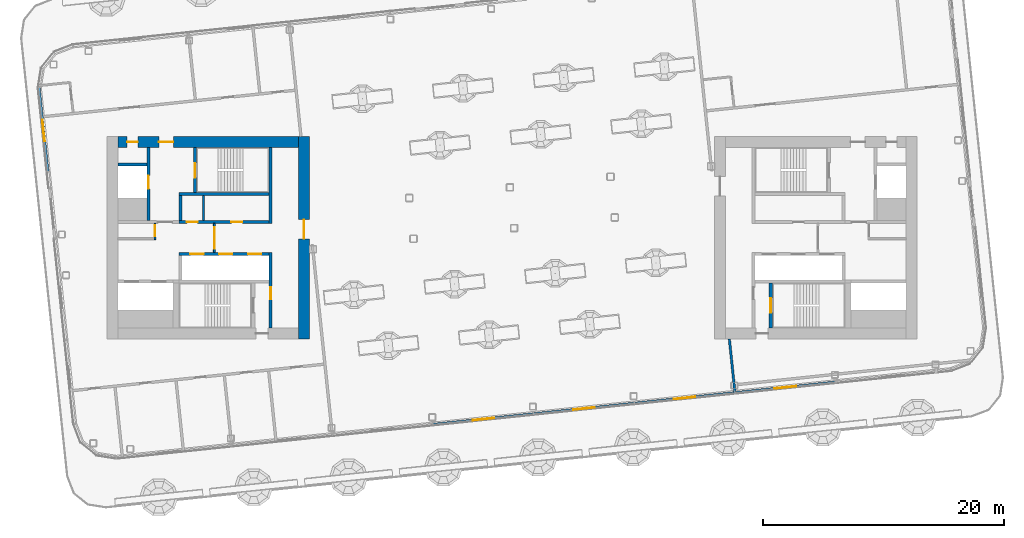
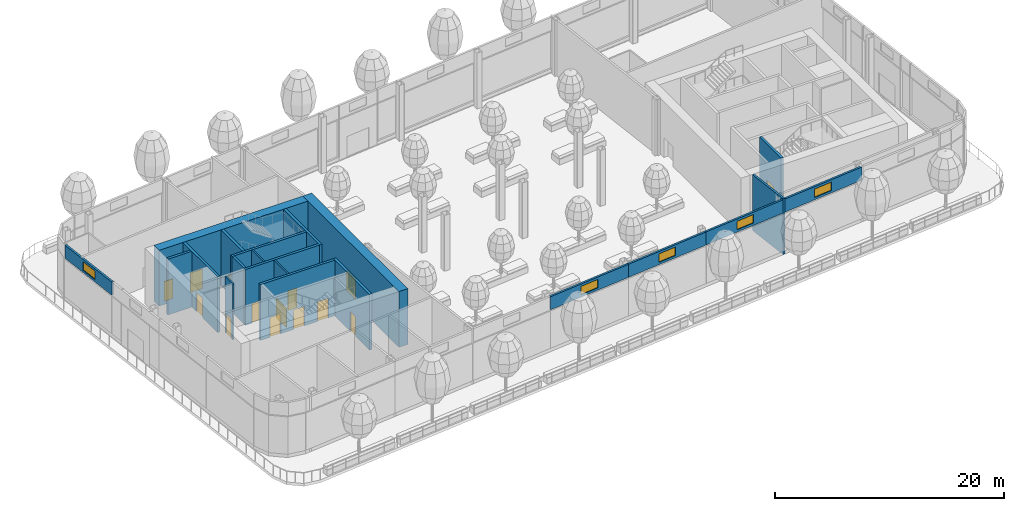
# One storey, part 12 of 42: 21 walls, 14 doors, 5 windows, 19 openings, 2 elements without a shape of their own.
"""IFC4 building model written with IfcOpenShell, lengths in metres."""

from ifc_helpers import new_model, si_unit, direction, frame, frame_2d, origin, place, context, subcontext, project, spatial, rectangle, extrude, material, layer, layer_set, type_object, element, fill, aggregate, save


model = new_model("IFC4")

# Units and contexts
model_context = context("Model", 3, precision=1e-05, world=origin(), true_north=direction((0.0, 1.0)))
body_context = subcontext(model_context, "Body", "Model", "MODEL_VIEW")
ifc_project = project(units=[si_unit("LENGTHUNIT", "METRE"), si_unit("AREAUNIT", "SQUARE_METRE"), si_unit("VOLUMEUNIT", "CUBIC_METRE"), si_unit("PLANEANGLEUNIT", "RADIAN"), si_unit("MASSUNIT", "GRAM", prefix="KILO")], contexts=[model_context])

# Site, building, storey
site_placement = place(None, origin())
site = spatial("IfcSite", under=ifc_project, at=site_placement, CompositionType="ELEMENT")
building_placement = place(site_placement, origin())
building = spatial("IfcBuilding", under=site, at=building_placement, Name="Hakoniwa Tower and Hamabe Station Hall", CompositionType="ELEMENT")
storey_placement = place(building_placement, frame((0.0, 0.0, 232.60009765625)))
storey = spatial("IfcBuildingStorey", under=building, at=storey_placement, Name="L66", CompositionType="ELEMENT", Elevation=232.60009765625)

# Wall, opening, door
ifc_material_1 = material(Name="Gypsum board partition")
ifc_layer_1 = layer(ifc_material_1, 0.14990234375)
ifc_layer_set_1 = layer_set([ifc_layer_1], Name="CORE PARTITION 150 EI 60")
wall_type_1 = type_object("IfcWallType", Name="CORE PARTITION 150 EI 60", PredefinedType="PARTITIONING", material=ifc_layer_set_1)
wall_1_placement = place(storey_placement, frame((-24.699951171875, -1.199951171875, 0.0), z_axis=(0.0, 0.0, 1.0), x_axis=(0.0, 1.0, 0.0)))
wall_1 = element("IfcWall", 1, at=wall_1_placement, inside=storey, type_object=wall_type_1, Name="Core partition PL0 west", PredefinedType="PARTITIONING", context=body_context, shape_type="SweptSolid", body=[
    extrude(rectangle(XDim=2.39990234375, YDim=0.14990234375, at=frame_2d((1.199951171875, 0.0))), origin(), (0.0, 0.0, 1.0), 5.949951171875),
])
opening_1_placement = place(wall_1_placement, frame((0.300048828125, 0.0, 0.0)))
opening_1 = element("IfcOpeningElement", 2, at=opening_1_placement, cuts=wall_1, Name="Opening CD-W-LP0-18", PredefinedType="OPENING", context=body_context, shape_type="SweptSolid", body=[
    extrude(rectangle(XDim=1.800048828125, YDim=2.10009765625, at=frame_2d((0.89990234375, 1.050048828125))), frame((0.0, 0.0849609375, 0.0), z_axis=(0.0, -1.0, 0.0), x_axis=(1.0, 0.0, 0.0)), (0.0, 0.0, 1.0), 0.169921875),
])
ifc_material_2 = material(Name="Steel fire door", Category="steel")
door_type_1 = type_object("IfcDoorType", Name="CORE DOOR 1800 FD60", OperationType="DOUBLE_DOOR_SINGLE_SWING", PredefinedType="DOOR", material=ifc_material_2)
door_1_placement = place(opening_1_placement, origin())
door_1 = element("IfcDoor", 3, at=door_1_placement, inside=storey, type_object=door_type_1, Name="Lift lobby partition door", OperationType="DOUBLE_DOOR_SINGLE_SWING", OverallHeight=2.10009765625, OverallWidth=1.800048828125, PredefinedType="DOOR", context=body_context, shape_type="SweptSolid", body=[
    extrude(rectangle(XDim=1.800048828125, YDim=2.10009765625, at=frame_2d((0.89990234375, 1.050048828125))), frame((0.0, 0.02490234375, 0.0), z_axis=(0.0, -1.0, 0.0), x_axis=(1.0, 0.0, 0.0)), (0.0, 0.0, 1.0), 0.050048828125),
])
fill(opening_1, door_1)

wall_2_placement = place(storey_placement, frame((-29.625, -0.14990234375, 0.0), z_axis=(0.0, 0.0, 1.0), x_axis=(0.0, 1.0, 0.0)))
wall_2 = element("IfcWall", 4, at=wall_2_placement, inside=storey, type_object=wall_type_1, Name="Core partition PW0 west", PredefinedType="PARTITIONING", context=body_context, shape_type="SweptSolid", body=[
    extrude(rectangle(XDim=1.349853515625, YDim=0.14990234375, at=frame_2d((0.6748046875, 0.0))), origin(), (0.0, 0.0, 1.0), 5.949951171875),
])
opening_2_placement = place(wall_2_placement, frame((0.300048828125, 0.0, 0.0)))
opening_2 = element("IfcOpeningElement", 5, at=opening_2_placement, cuts=wall_2, Name="Opening CD-W-RM1-9", PredefinedType="OPENING", context=body_context, shape_type="SweptSolid", body=[
    extrude(rectangle(XDim=0.89990234375, YDim=2.10009765625, at=frame_2d((0.449951171875, 1.050048828125))), frame((0.0, 0.0849609375, 0.0), z_axis=(0.0, -1.0, 0.0), x_axis=(1.0, 0.0, 0.0)), (0.0, 0.0, 1.0), 0.169921875),
])
ifc_material_3 = material(Name="Steel fire door", Category="steel")
door_type_2 = type_object("IfcDoorType", Name="CORE DOOR 900 FD30", OperationType="NOTDEFINED", PredefinedType="DOOR", material=ifc_material_3)
door_2_placement = place(opening_2_placement, origin())
door_2 = element("IfcDoor", 6, at=door_2_placement, inside=storey, type_object=door_type_2, Name="Store room door", OperationType="SINGLE_SWING_RIGHT", OverallHeight=2.10009765625, OverallWidth=0.89990234375, PredefinedType="DOOR", context=body_context, shape_type="SweptSolid", body=[
    extrude(rectangle(XDim=0.89990234375, YDim=2.10009765625, at=frame_2d((0.449951171875, 1.050048828125))), frame((0.0, 0.02490234375, 0.0), z_axis=(0.0, -1.0, 0.0), x_axis=(1.0, 0.0, 0.0)), (0.0, 0.0, 1.0), 0.050048828125),
])
fill(opening_2, door_2)

# Wall
wall_3_placement = place(storey_placement, frame((-25.60009765625, 1.449951171875, 0.0), z_axis=(0.0, 0.0, 1.0), x_axis=(0.0, 1.0, 0.0)))
element("IfcWall", 7, at=wall_3_placement, inside=storey, type_object=wall_type_1, Name="Core partition PFLR0 west", PredefinedType="PARTITIONING", context=body_context, shape_type="SweptSolid", body=[
    extrude(rectangle(XDim=2.050048828125, YDim=0.14990234375, at=frame_2d((1.02490234375, 0.0))), origin(), (0.0, 0.0, 1.0), 5.949951171875),
])

# Wall, opening, door
ifc_material_4 = material(Name="Concrete C60", Category="concrete")
ifc_layer_2 = layer(ifc_material_4, 0.89990234375)
ifc_layer_set_2 = layer_set([ifc_layer_2], Name="CORE WALL 900 C60")
wall_type_2 = type_object("IfcWallType", Name="CORE WALL 900 C60", PredefinedType="SHEAR", material=ifc_layer_set_2)
wall_4_placement = place(storey_placement, frame((-17.25, -8.39990234375, 0.0), z_axis=(0.0, 0.0, 1.0), x_axis=(0.0, 1.0, 0.0)))
wall_4 = element("IfcWall", 8, at=wall_4_placement, inside=storey, type_object=wall_type_2, Name="Core wall INNER west", PredefinedType="SHEAR", context=body_context, shape_type="SweptSolid", body=[
    extrude(rectangle(XDim=16.7998046875, YDim=0.89990234375, at=frame_2d((8.39990234375, 0.0))), origin(), (0.0, 0.0, 1.0), 5.949951171875),
])
opening_3_placement = place(wall_4_placement, frame((8.321044921875, 0.0, 0.0)))
opening_3 = element("IfcOpeningElement", 9, at=opening_3_placement, cuts=wall_4, Name="Opening CD-W-IN1-16", PredefinedType="OPENING", context=body_context, shape_type="SweptSolid", body=[
    extrude(rectangle(XDim=1.60009765625, YDim=2.10009765625, at=frame_2d((0.800048828125, 1.050048828125))), frame((0.0, 0.4599609375, 0.0), z_axis=(0.0, -1.0, 0.0), x_axis=(1.0, 0.0, 0.0)), (0.0, 0.0, 1.0), 0.919921875),
])
ifc_material_5 = material(Name="Steel fire door", Category="steel")
door_type_3 = type_object("IfcDoorType", Name="CORE DOOR 1600 FD60", OperationType="DOUBLE_DOOR_SINGLE_SWING", PredefinedType="DOOR", material=ifc_material_5)
door_3_placement = place(opening_3_placement, origin())
door_3 = element("IfcDoor", 10, at=door_3_placement, inside=storey, type_object=door_type_3, Name="Lift lobby door", OperationType="DOUBLE_DOOR_SINGLE_SWING", OverallHeight=2.10009765625, OverallWidth=1.60009765625, PredefinedType="DOOR", context=body_context, shape_type="SweptSolid", body=[
    extrude(rectangle(XDim=1.60009765625, YDim=2.10009765625, at=frame_2d((0.800048828125, 1.050048828125))), frame((0.0, 0.02490234375, 0.0), z_axis=(0.0, -1.0, 0.0), x_axis=(1.0, 0.0, 0.0)), (0.0, 0.0, 1.0), 0.050048828125),
])
fill(opening_3, door_3)

# Wall, openings, doors
wall_5_placement = place(storey_placement, frame((-32.699951171875, 7.949951171875, 0.0), z_axis=(0.0, 0.0, 1.0), x_axis=(1.0, 0.0, 0.0)))
wall_5 = element("IfcWall", 11, at=wall_5_placement, inside=storey, type_object=wall_type_2, Name="Core wall NORTH west", PredefinedType="SHEAR", context=body_context, shape_type="SweptSolid", body=[
    extrude(rectangle(XDim=15.0, YDim=0.89990234375, at=frame_2d((7.5, 0.0))), origin(), (0.0, 0.0, 1.0), 5.949951171875),
])
opening_4_placement = place(wall_5_placement, frame((3.39990234375, 0.0, 0.0)))
opening_4 = element("IfcOpeningElement", 12, at=opening_4_placement, cuts=wall_5, Name="Opening CD-W-FN1-12", PredefinedType="OPENING", context=body_context, shape_type="SweptSolid", body=[
    extrude(rectangle(XDim=1.199951171875, YDim=2.10009765625, at=frame_2d((0.60009765625, 1.050048828125))), frame((0.0, 0.4599609375, 0.0), z_axis=(0.0, -1.0, 0.0), x_axis=(1.0, 0.0, 0.0)), (0.0, 0.0, 1.0), 0.919921875),
])
opening_5_placement = place(wall_5_placement, frame((0.75, 0.0, 0.0)))
opening_5 = element("IfcOpeningElement", 13, at=opening_5_placement, cuts=wall_5, Name="Opening CD-W-FN2-9", PredefinedType="OPENING", context=body_context, shape_type="SweptSolid", body=[
    extrude(rectangle(XDim=0.89990234375, YDim=2.10009765625, at=frame_2d((0.449951171875, 1.050048828125))), frame((0.0, 0.4599609375, 0.0), z_axis=(0.0, -1.0, 0.0), x_axis=(1.0, 0.0, 0.0)), (0.0, 0.0, 1.0), 0.919921875),
])
ifc_material_6 = material(Name="Steel fire door", Category="steel")
door_type_4 = type_object("IfcDoorType", Name="CORE DOOR 1200 FD60", OperationType="DOUBLE_DOOR_SINGLE_SWING", PredefinedType="DOOR", material=ifc_material_6)
door_4_placement = place(opening_4_placement, origin())
door_4 = element("IfcDoor", 14, at=door_4_placement, inside=storey, type_object=door_type_4, Name="Stair vestibule door to the fire-fighting lobby", OperationType="DOUBLE_DOOR_SINGLE_SWING", OverallHeight=2.10009765625, OverallWidth=1.199951171875, PredefinedType="DOOR", context=body_context, shape_type="SweptSolid", body=[
    extrude(rectangle(XDim=1.199951171875, YDim=2.10009765625, at=frame_2d((0.60009765625, 1.050048828125))), frame((0.0, 0.02490234375, 0.0), z_axis=(0.0, -1.0, 0.0), x_axis=(1.0, 0.0, 0.0)), (0.0, 0.0, 1.0), 0.050048828125),
])
fill(opening_4, door_4)
door_5_placement = place(opening_5_placement, origin())
door_5 = element("IfcDoor", 15, at=door_5_placement, inside=storey, type_object=door_type_2, Name="Riser access door", OperationType="SINGLE_SWING_RIGHT", OverallHeight=2.10009765625, OverallWidth=0.89990234375, PredefinedType="DOOR", context=body_context, shape_type="SweptSolid", body=[
    extrude(rectangle(XDim=0.89990234375, YDim=2.10009765625, at=frame_2d((0.449951171875, 1.050048828125))), frame((0.0, 0.02490234375, 0.0), z_axis=(0.0, -1.0, 0.0), x_axis=(1.0, 0.0, 0.0)), (0.0, 0.0, 1.0), 0.050048828125),
])
fill(opening_5, door_5)

# Wall
ifc_material_7 = material(Name="Concrete C60", Category="concrete")
ifc_layer_3 = layer(ifc_material_7, 0.25)
ifc_layer_set_3 = layer_set([ifc_layer_3], Name="CORE WEB WALL 250 C60")
wall_type_3 = type_object("IfcWallType", Name="CORE WEB WALL 250 C60", PredefinedType="SHEAR", material=ifc_layer_set_3)
wall_6_placement = place(storey_placement, frame((-20.02490234375, 1.199951171875, 0.0), z_axis=(0.0, 0.0, 1.0), x_axis=(0.0, 1.0, 0.0)))
element("IfcWall", 16, at=wall_6_placement, inside=storey, type_object=wall_type_3, Name="Core wall W1N west", PredefinedType="SHEAR", context=body_context, shape_type="SweptSolid", body=[
    extrude(rectangle(XDim=6.300048828125, YDim=0.25, at=frame_2d((3.14990234375, 0.0))), origin(), (0.0, 0.0, 1.0), 5.949951171875),
])

# Wall, opening, door
wall_7_placement = place(storey_placement, frame((-20.02490234375, -7.5, 0.0), z_axis=(0.0, 0.0, 1.0), x_axis=(0.0, 1.0, 0.0)))
wall_7 = element("IfcWall", 17, at=wall_7_placement, inside=storey, type_object=wall_type_3, Name="Core wall W1S west", PredefinedType="SHEAR", context=body_context, shape_type="SweptSolid", body=[
    extrude(rectangle(XDim=6.300048828125, YDim=0.25, at=frame_2d((3.14990234375, 0.0))), origin(), (0.0, 0.0, 1.0), 5.949951171875),
])
opening_6_placement = place(wall_7_placement, frame((2.39990234375, 0.0, 0.0)))
opening_6 = element("IfcOpeningElement", 18, at=opening_6_placement, cuts=wall_7, Name="Opening CD-W-VS-10", PredefinedType="OPENING", context=body_context, shape_type="SweptSolid", body=[
    extrude(rectangle(XDim=1.0, YDim=2.10009765625, at=frame_2d((0.5, 1.050048828125))), frame((0.0, 0.135009765625, 0.0), z_axis=(0.0, -1.0, 0.0), x_axis=(1.0, 0.0, 0.0)), (0.0, 0.0, 1.0), 0.27001953125),
])
ifc_material_8 = material(Name="Steel fire door", Category="steel")
door_type_5 = type_object("IfcDoorType", Name="CORE DOOR 1000 FD60", OperationType="NOTDEFINED", PredefinedType="DOOR", material=ifc_material_8)
door_6_placement = place(opening_6_placement, origin())
door_6 = element("IfcDoor", 19, at=door_6_placement, inside=storey, type_object=door_type_5, Name="Stair vestibule door", OperationType="SINGLE_SWING_LEFT", OverallHeight=2.10009765625, OverallWidth=1.0, PredefinedType="DOOR", context=body_context, shape_type="SweptSolid", body=[
    extrude(rectangle(XDim=1.0, YDim=2.10009765625, at=frame_2d((0.5, 1.050048828125))), frame((0.0, 0.02490234375, 0.0), z_axis=(0.0, -1.0, 0.0), x_axis=(1.0, 0.0, 0.0)), (0.0, 0.0, 1.0), 0.050048828125),
])
fill(opening_6, door_6)

# Wall, openings, doors
wall_8_placement = place(storey_placement, frame((-27.64990234375, 1.324951171875, 0.0), z_axis=(0.0, 0.0, 1.0), x_axis=(1.0, 0.0, 0.0)))
wall_8 = element("IfcWall", 20, at=wall_8_placement, inside=storey, type_object=wall_type_3, Name="Core wall NF west", PredefinedType="SHEAR", context=body_context, shape_type="SweptSolid", body=[
    extrude(rectangle(XDim=7.5, YDim=0.25, at=frame_2d((3.75, 0.0))), origin(), (0.0, 0.0, 1.0), 5.949951171875),
])
opening_7_placement = place(wall_8_placement, frame((4.362548828125, 0.0, 0.0)))
opening_7 = element("IfcOpeningElement", 21, at=opening_7_placement, cuts=wall_8, Name="Opening CD-W-FRLR0-9", PredefinedType="OPENING", context=body_context, shape_type="SweptSolid", body=[
    extrude(rectangle(XDim=0.89990234375, YDim=2.10009765625, at=frame_2d((0.449951171875, 1.050048828125))), frame((0.0, 0.135009765625, 0.0), z_axis=(0.0, -1.0, 0.0), x_axis=(1.0, 0.0, 0.0)), (0.0, 0.0, 1.0), 0.27001953125),
])
opening_8_placement = place(wall_8_placement, frame((0.66259765625, 0.0, 0.0)))
opening_8 = element("IfcOpeningElement", 22, at=opening_8_placement, cuts=wall_8, Name="Opening CD-W-FRLR1-9", PredefinedType="OPENING", context=body_context, shape_type="SweptSolid", body=[
    extrude(rectangle(XDim=0.89990234375, YDim=2.10009765625, at=frame_2d((0.449951171875, 1.050048828125))), frame((0.0, 0.135009765625, 0.0), z_axis=(0.0, -1.0, 0.0), x_axis=(1.0, 0.0, 0.0)), (0.0, 0.0, 1.0), 0.27001953125),
])
door_7_placement = place(opening_7_placement, origin())
door_7 = element("IfcDoor", 23, at=door_7_placement, inside=storey, type_object=door_type_2, Name="Store room door", OperationType="SINGLE_SWING_RIGHT", OverallHeight=2.10009765625, OverallWidth=0.89990234375, PredefinedType="DOOR", context=body_context, shape_type="SweptSolid", body=[
    extrude(rectangle(XDim=0.89990234375, YDim=2.10009765625, at=frame_2d((0.449951171875, 1.050048828125))), frame((0.0, 0.02490234375, 0.0), z_axis=(0.0, -1.0, 0.0), x_axis=(1.0, 0.0, 0.0)), (0.0, 0.0, 1.0), 0.050048828125),
])
fill(opening_7, door_7)
door_8_placement = place(opening_8_placement, origin())
door_8 = element("IfcDoor", 24, at=door_8_placement, inside=storey, type_object=door_type_2, Name="Store room door", OperationType="SINGLE_SWING_LEFT", OverallHeight=2.10009765625, OverallWidth=0.89990234375, PredefinedType="DOOR", context=body_context, shape_type="SweptSolid", body=[
    extrude(rectangle(XDim=0.89990234375, YDim=2.10009765625, at=frame_2d((0.449951171875, 1.050048828125))), frame((0.0, 0.02490234375, 0.0), z_axis=(0.0, -1.0, 0.0), x_axis=(1.0, 0.0, 0.0)), (0.0, 0.0, 1.0), 0.050048828125),
])
fill(opening_8, door_8)

# Walls
wall_9_placement = place(storey_placement, frame((-27.52490234375, 1.449951171875, 0.0), z_axis=(0.0, 0.0, 1.0), x_axis=(0.0, 1.0, 0.0)))
element("IfcWall", 25, at=wall_9_placement, inside=storey, type_object=wall_type_3, Name="Core wall NE west", PredefinedType="SHEAR", context=body_context, shape_type="SweptSolid", body=[
    extrude(rectangle(XDim=2.050048828125, YDim=0.25, at=frame_2d((1.02490234375, 0.0))), origin(), (0.0, 0.0, 1.0), 5.949951171875),
])
wall_10_placement = place(storey_placement, frame((-27.64990234375, 3.625, 0.0), z_axis=(0.0, 0.0, 1.0), x_axis=(1.0, 0.0, 0.0)))
element("IfcWall", 26, at=wall_10_placement, inside=storey, type_object=wall_type_3, Name="Core wall NR west", PredefinedType="SHEAR", context=body_context, shape_type="SweptSolid", body=[
    extrude(rectangle(XDim=7.5, YDim=0.25, at=frame_2d((3.75, 0.0))), origin(), (0.0, 0.0, 1.0), 5.949951171875),
])

# Wall, opening, door
wall_11_placement = place(storey_placement, frame((-26.324951171875, 3.75, 0.0), z_axis=(0.0, 0.0, 1.0), x_axis=(0.0, 1.0, 0.0)))
wall_11 = element("IfcWall", 27, at=wall_11_placement, inside=storey, type_object=wall_type_3, Name="Core wall NSE west", PredefinedType="SHEAR", context=body_context, shape_type="SweptSolid", body=[
    extrude(rectangle(XDim=3.75, YDim=0.25, at=frame_2d((1.875, 0.0))), origin(), (0.0, 0.0, 1.0), 5.949951171875),
])
opening_9_placement = place(wall_11_placement, frame((1.25, 0.0, 0.0)))
opening_9 = element("IfcOpeningElement", 28, at=opening_9_placement, cuts=wall_11, Name="Opening CD-W-SN-12", PredefinedType="OPENING", context=body_context, shape_type="SweptSolid", body=[
    extrude(rectangle(XDim=1.199951171875, YDim=2.10009765625, at=frame_2d((0.60009765625, 1.050048828125))), frame((0.0, 0.135009765625, 0.0), z_axis=(0.0, -1.0, 0.0), x_axis=(1.0, 0.0, 0.0)), (0.0, 0.0, 1.0), 0.27001953125),
])
door_9_placement = place(opening_9_placement, origin())
door_9 = element("IfcDoor", 29, at=door_9_placement, inside=storey, type_object=door_type_4, Name="Escape stair door", OperationType="DOUBLE_DOOR_SINGLE_SWING", OverallHeight=2.10009765625, OverallWidth=1.199951171875, PredefinedType="DOOR", context=body_context, shape_type="SweptSolid", body=[
    extrude(rectangle(XDim=1.199951171875, YDim=2.10009765625, at=frame_2d((0.60009765625, 1.050048828125))), frame((0.0, 0.02490234375, 0.0), z_axis=(0.0, -1.0, 0.0), x_axis=(1.0, 0.0, 0.0)), (0.0, 0.0, 1.0), 0.050048828125),
])
fill(opening_9, door_9)

wall_12_placement = place(storey_placement, frame((-30.175048828125, 1.449951171875, 0.0), z_axis=(0.0, 0.0, 1.0), x_axis=(0.0, 1.0, 0.0)))
wall_12 = element("IfcWall", 30, at=wall_12_placement, inside=storey, type_object=wall_type_3, Name="Core wall FFF west", PredefinedType="SHEAR", context=body_context, shape_type="SweptSolid", body=[
    extrude(rectangle(XDim=6.050048828125, YDim=0.25, at=frame_2d((3.02490234375, 0.0))), origin(), (0.0, 0.0, 1.0), 5.949951171875),
])
opening_10_placement = place(wall_12_placement, frame((2.625, 0.0, 0.0)))
opening_10 = element("IfcOpeningElement", 31, at=opening_10_placement, cuts=wall_12, Name="Opening LD-FF1", PredefinedType="OPENING", context=body_context, shape_type="SweptSolid", body=[
    extrude(rectangle(XDim=1.10009765625, YDim=2.10009765625, at=frame_2d((0.550048828125, 1.050048828125))), frame((0.0, 0.135009765625, 0.0), z_axis=(0.0, -1.0, 0.0), x_axis=(1.0, 0.0, 0.0)), (0.0, 0.0, 1.0), 0.27001953125),
])
ifc_material_9 = material(Name="Stainless steel SUS304", Category="steel")
door_type_6 = type_object("IfcDoorType", Name="LIFT LANDING DOOR 1100 FD60", OperationType="DOUBLE_DOOR_SLIDING", PredefinedType="DOOR", material=ifc_material_9)
door_10_placement = place(opening_10_placement, origin())
door_10 = element("IfcDoor", 32, at=door_10_placement, inside=storey, type_object=door_type_6, Name="Lift landing door FF1 L66", OperationType="DOUBLE_DOOR_SLIDING", OverallHeight=2.10009765625, OverallWidth=1.10009765625, PredefinedType="DOOR", context=body_context, shape_type="SweptSolid", body=[
    extrude(rectangle(XDim=1.10009765625, YDim=2.10009765625, at=frame_2d((0.550048828125, 1.050048828125))), frame((0.0, 0.02490234375, 0.0), z_axis=(0.0, -1.0, 0.0), x_axis=(1.0, 0.0, 0.0)), (0.0, 0.0, 1.0), 0.050048828125),
])
fill(opening_10, door_10)

# Wall
wall_13_placement = place(storey_placement, frame((-32.699951171875, 6.074951171875, 0.0), z_axis=(0.0, 0.0, 1.0), x_axis=(1.0, 0.0, 0.0)))
element("IfcWall", 33, at=wall_13_placement, inside=storey, type_object=wall_type_3, Name="Core wall C2 west", PredefinedType="SHEAR", context=body_context, shape_type="SweptSolid", body=[
    extrude(rectangle(XDim=2.39990234375, YDim=0.25, at=frame_2d((1.199951171875, 0.0))), origin(), (0.0, 0.0, 1.0), 5.949951171875),
])

# Wall, openings, doors
wall_14_placement = place(storey_placement, frame((-27.64990234375, -1.324951171875, 0.0), z_axis=(0.0, 0.0, 1.0), x_axis=(1.0, 0.0, 0.0)))
wall_14 = element("IfcWall", 34, at=wall_14_placement, inside=storey, type_object=wall_type_3, Name="Core wall SF west", PredefinedType="SHEAR", context=body_context, shape_type="SweptSolid", body=[
    extrude(rectangle(XDim=7.5, YDim=0.25, at=frame_2d((3.75, 0.0))), origin(), (0.0, 0.0, 1.0), 5.949951171875),
])
opening_11_placement = place(wall_14_placement, frame((5.75, 0.0, 0.0)))
opening_11 = element("IfcOpeningElement", 35, at=opening_11_placement, cuts=wall_14, Name="Opening LD-HR1", PredefinedType="OPENING", context=body_context, shape_type="SweptSolid", body=[
    extrude(rectangle(XDim=1.10009765625, YDim=2.10009765625, at=frame_2d((0.550048828125, 1.050048828125))), frame((0.0, 0.135009765625, 0.0), z_axis=(0.0, -1.0, 0.0), x_axis=(1.0, 0.0, 0.0)), (0.0, 0.0, 1.0), 0.27001953125),
])
opening_12_placement = place(wall_14_placement, frame((3.35009765625, 0.0, 0.0)))
opening_12 = element("IfcOpeningElement", 36, at=opening_12_placement, cuts=wall_14, Name="Opening LD-HR2", PredefinedType="OPENING", context=body_context, shape_type="SweptSolid", body=[
    extrude(rectangle(XDim=1.10009765625, YDim=2.10009765625, at=frame_2d((0.550048828125, 1.050048828125))), frame((0.0, 0.135009765625, 0.0), z_axis=(0.0, -1.0, 0.0), x_axis=(1.0, 0.0, 0.0)), (0.0, 0.0, 1.0), 0.27001953125),
])
opening_13_placement = place(wall_14_placement, frame((0.949951171875, 0.0, 0.0)))
opening_13 = element("IfcOpeningElement", 37, at=opening_13_placement, cuts=wall_14, Name="Opening LD-HR3", PredefinedType="OPENING", context=body_context, shape_type="SweptSolid", body=[
    extrude(rectangle(XDim=1.10009765625, YDim=2.10009765625, at=frame_2d((0.550048828125, 1.050048828125))), frame((0.0, 0.135009765625, 0.0), z_axis=(0.0, -1.0, 0.0), x_axis=(1.0, 0.0, 0.0)), (0.0, 0.0, 1.0), 0.27001953125),
])
door_11_placement = place(opening_11_placement, origin())
door_11 = element("IfcDoor", 38, at=door_11_placement, inside=storey, type_object=door_type_6, Name="Lift landing door HR1 L66", OperationType="DOUBLE_DOOR_SLIDING", OverallHeight=2.10009765625, OverallWidth=1.10009765625, PredefinedType="DOOR", context=body_context, shape_type="SweptSolid", body=[
    extrude(rectangle(XDim=1.10009765625, YDim=2.10009765625, at=frame_2d((0.550048828125, 1.050048828125))), frame((0.0, 0.02490234375, 0.0), z_axis=(0.0, -1.0, 0.0), x_axis=(1.0, 0.0, 0.0)), (0.0, 0.0, 1.0), 0.050048828125),
])
fill(opening_11, door_11)
door_12_placement = place(opening_12_placement, origin())
door_12 = element("IfcDoor", 39, at=door_12_placement, inside=storey, type_object=door_type_6, Name="Lift landing door HR2 L66", OperationType="DOUBLE_DOOR_SLIDING", OverallHeight=2.10009765625, OverallWidth=1.10009765625, PredefinedType="DOOR", context=body_context, shape_type="SweptSolid", body=[
    extrude(rectangle(XDim=1.10009765625, YDim=2.10009765625, at=frame_2d((0.550048828125, 1.050048828125))), frame((0.0, 0.02490234375, 0.0), z_axis=(0.0, -1.0, 0.0), x_axis=(1.0, 0.0, 0.0)), (0.0, 0.0, 1.0), 0.050048828125),
])
fill(opening_12, door_12)
door_13_placement = place(opening_13_placement, origin())
door_13 = element("IfcDoor", 40, at=door_13_placement, inside=storey, type_object=door_type_6, Name="Lift landing door HR3 L66", OperationType="DOUBLE_DOOR_SLIDING", OverallHeight=2.10009765625, OverallWidth=1.10009765625, PredefinedType="DOOR", context=body_context, shape_type="SweptSolid", body=[
    extrude(rectangle(XDim=1.10009765625, YDim=2.10009765625, at=frame_2d((0.550048828125, 1.050048828125))), frame((0.0, 0.02490234375, 0.0), z_axis=(0.0, -1.0, 0.0), x_axis=(1.0, 0.0, 0.0)), (0.0, 0.0, 1.0), 0.050048828125),
])
fill(opening_13, door_13)

# Wall, opening, door
wall_15_placement = place(storey_placement, frame((21.47509765625, -7.5, 0.0), z_axis=(0.0, 0.0, 1.0), x_axis=(0.0, 1.0, 0.0)))
wall_15 = element("IfcWall", 41, at=wall_15_placement, inside=storey, type_object=wall_type_3, Name="Core wall VE east", PredefinedType="SHEAR", context=body_context, shape_type="SweptSolid", body=[
    extrude(rectangle(XDim=3.75, YDim=0.25, at=frame_2d((1.875, 0.0))), origin(), (0.0, 0.0, 1.0), 5.949951171875),
])
opening_14_placement = place(wall_15_placement, frame((1.300048828125, 0.0, 0.0)))
opening_14 = element("IfcOpeningElement", 42, at=opening_14_placement, cuts=wall_15, Name="Opening CD-E-SS-12", PredefinedType="OPENING", context=body_context, shape_type="SweptSolid", body=[
    extrude(rectangle(XDim=1.199951171875, YDim=2.10009765625, at=frame_2d((0.60009765625, 1.050048828125))), frame((0.0, 0.135009765625, 0.0), z_axis=(0.0, -1.0, 0.0), x_axis=(1.0, 0.0, 0.0)), (0.0, 0.0, 1.0), 0.27001953125),
])
door_14_placement = place(opening_14_placement, origin())
door_14 = element("IfcDoor", 43, at=door_14_placement, inside=storey, type_object=door_type_4, Name="Escape stair door", OperationType="DOUBLE_DOOR_SINGLE_SWING", OverallHeight=2.10009765625, OverallWidth=1.199951171875, PredefinedType="DOOR", context=body_context, shape_type="SweptSolid", body=[
    extrude(rectangle(XDim=1.199951171875, YDim=2.10009765625, at=frame_2d((0.60009765625, 1.050048828125))), frame((0.0, 0.02490234375, 0.0), z_axis=(0.0, -1.0, 0.0), x_axis=(1.0, 0.0, 0.0)), (0.0, 0.0, 1.0), 0.050048828125),
])
fill(opening_14, door_14)

# Wall
ifc_material_10 = material(Name="Fire-rated gypsum board partition", Category="gypsum")
ifc_layer_4 = layer(ifc_material_10, 0.199951171875)
ifc_layer_set_4 = layer_set([ifc_layer_4], Name="Party Wall 200")
wall_type_4 = type_object("IfcWallType", Name="Party Wall 200", PredefinedType="PARTITIONING", material=ifc_layer_set_4)
wall_16_placement = place(storey_placement, frame((18.516357421875, -12.94921875, 0.0), z_axis=(0.0, 0.0, 1.0), x_axis=(-0.104548796268, 0.994519758074, 0.0)))
element("IfcWall", 44, at=wall_16_placement, inside=storey, type_object=wall_type_4, Name="GW-L66-016", PredefinedType="PARTITIONING", context=body_context, shape_type="SweptSolid", body=[
    extrude(rectangle(XDim=4.579345703125, YDim=0.199951171875, at=frame_2d((2.28955078125, 0.0))), origin(), (0.0, 0.0, 1.0), 5.949951171875),
])

# Curtain wall, wall, opening, window
ifc_material_11 = material(Name="Dark low-e laminated glass", Category="glass")
ifc_layer_5 = layer(ifc_material_11, 0.199951171875)
ifc_layer_set_5 = layer_set([ifc_layer_5], Name="CW-2 SKY GARDEN")
curtain_wall_type = type_object("IfcCurtainWallType", Name="CW-2 SKY GARDEN", PredefinedType="NOTDEFINED", material=ifc_layer_set_5)
curtain_wall_1_placement = place(storey_placement, origin())
curtain_wall_1 = element("IfcCurtainWall", 45, at=curtain_wall_1_placement, inside=storey, type_object=curtain_wall_type, Name="CW-2 curtain wall", PredefinedType="NOTDEFINED")
ifc_material_12 = material(Name="Dark glass-faced aluminium panel", Category="aluminium")
ifc_layer_6 = layer(ifc_material_12, 0.199951171875)
ifc_layer_set_6 = layer_set([ifc_layer_6], Name="VENT BAND WALL")
wall_type_5 = type_object("IfcWallType", Name="VENT BAND WALL", PredefinedType="NOTDEFINED", material=ifc_layer_set_6)
wall_17_placement = place(storey_placement, frame((-39.256103515625, 12.460693359375, 4.449951171875), z_axis=(0.0, 0.0, 1.0), x_axis=(0.104506598742, -0.994524193179, 0.0)))
wall_17 = element("IfcWall", 46, at=wall_17_placement, type_object=wall_type_5, Name="Vent band wall", PredefinedType="NOTDEFINED", context=body_context, shape_type="SweptSolid", body=[
    extrude(rectangle(XDim=6.98974609375, YDim=0.199951171875, at=frame_2d((3.494873046875, 0.0))), origin(), (0.0, 0.0, 1.0), 1.39990234375),
])
opening_15_placement = place(wall_17_placement, frame((2.6796875, 0.0, 0.25)))
opening_15 = element("IfcOpeningElement", 47, at=opening_15_placement, cuts=wall_17, Name="Opening VW-1", PredefinedType="OPENING", context=body_context, shape_type="SweptSolid", body=[
    extrude(rectangle(XDim=1.800048828125, YDim=0.89990234375, at=frame_2d((0.89990234375, 0.449951171875))), frame((0.0, 0.10986328125, 0.0), z_axis=(0.0, -1.0, 0.0), x_axis=(1.0, 0.0, 0.0)), (0.0, 0.0, 1.0), 0.219970703125),
])
ifc_material_13 = material(Name="Dark low-e laminated glass", Category="glass")
window_type = type_object("IfcWindowType", Name="VENT WINDOW 1800X900", PartitioningType="SINGLE_PANEL", PredefinedType="WINDOW", material=ifc_material_13)
window_1_placement = place(opening_15_placement, origin())
window_1 = element("IfcWindow", 48, at=window_1_placement, inside=storey, type_object=window_type, Name="Vent window", OverallHeight=0.89990234375, OverallWidth=1.800048828125, PartitioningType="SINGLE_PANEL", PredefinedType="WINDOW", context=body_context, shape_type="SweptSolid", body=[
    extrude(rectangle(XDim=1.800048828125, YDim=0.89990234375, at=frame_2d((0.89990234375, 0.449951171875))), frame((0.0, 0.030029296875, 0.0), z_axis=(0.0, -1.0, 0.0), x_axis=(1.0, 0.0, 0.0)), (0.0, 0.0, 1.0), 0.06005859375),
])
fill(opening_15, window_1)
aggregate(curtain_wall_1, [wall_17])

# Curtain wall, walls, openings, windows
curtain_wall_2_placement = place(storey_placement, origin())
curtain_wall_2 = element("IfcCurtainWall", 49, at=curtain_wall_2_placement, inside=storey, type_object=curtain_wall_type, Name="CW-2 curtain wall", PredefinedType="NOTDEFINED")
wall_18_placement = place(storey_placement, frame((-6.55615234375, -15.48388671875, 4.449951171875), z_axis=(0.0, 0.0, 1.0), x_axis=(0.994520253788, 0.104544080685, 0.0)))
wall_18 = element("IfcWall", 50, at=wall_18_placement, type_object=wall_type_5, Name="Vent band wall", PredefinedType="NOTDEFINED", context=body_context, shape_type="SweptSolid", body=[
    extrude(rectangle(XDim=8.400146484375, YDim=0.199951171875, at=frame_2d((4.2001953125, 0.0))), origin(), (0.0, 0.0, 1.0), 1.39990234375),
])
opening_16_placement = place(wall_18_placement, frame((3.300048828125, 0.0, 0.25)))
opening_16 = element("IfcOpeningElement", 51, at=opening_16_placement, cuts=wall_18, Name="Opening VW-1", PredefinedType="OPENING", context=body_context, shape_type="SweptSolid", body=[
    extrude(rectangle(XDim=1.800048828125, YDim=0.89990234375, at=frame_2d((0.89990234375, 0.449951171875))), frame((0.0, 0.10986328125, 0.0), z_axis=(0.0, -1.0, 0.0), x_axis=(1.0, 0.0, 0.0)), (0.0, 0.0, 1.0), 0.219970703125),
])
window_2_placement = place(opening_16_placement, origin())
window_2 = element("IfcWindow", 52, at=window_2_placement, inside=storey, type_object=window_type, Name="Vent window", OverallHeight=0.89990234375, OverallWidth=1.800048828125, PartitioningType="SINGLE_PANEL", PredefinedType="WINDOW", context=body_context, shape_type="SweptSolid", body=[
    extrude(rectangle(XDim=1.800048828125, YDim=0.89990234375, at=frame_2d((0.89990234375, 0.449951171875))), frame((0.0, 0.030029296875, 0.0), z_axis=(0.0, -1.0, 0.0), x_axis=(1.0, 0.0, 0.0)), (0.0, 0.0, 1.0), 0.06005859375),
])
fill(opening_16, window_2)
wall_19_placement = place(storey_placement, frame((1.7978515625, -14.605712890625, 4.449951171875), z_axis=(0.0, 0.0, 1.0), x_axis=(0.994523275226, 0.104515333968, 0.0)))
wall_19 = element("IfcWall", 53, at=wall_19_placement, type_object=wall_type_5, Name="Vent band wall", PredefinedType="NOTDEFINED", context=body_context, shape_type="SweptSolid", body=[
    extrude(rectangle(XDim=8.39990234375, YDim=0.199951171875, at=frame_2d((4.199951171875, 0.0))), origin(), (0.0, 0.0, 1.0), 1.39990234375),
])
opening_17_placement = place(wall_19_placement, frame((3.300048828125, 0.0, 0.25)))
opening_17 = element("IfcOpeningElement", 54, at=opening_17_placement, cuts=wall_19, Name="Opening VW-1", PredefinedType="OPENING", context=body_context, shape_type="SweptSolid", body=[
    extrude(rectangle(XDim=1.800048828125, YDim=0.89990234375, at=frame_2d((0.89990234375, 0.449951171875))), frame((0.0, 0.10986328125, 0.0), z_axis=(0.0, -1.0, 0.0), x_axis=(1.0, 0.0, 0.0)), (0.0, 0.0, 1.0), 0.219970703125),
])
window_3_placement = place(opening_17_placement, origin())
window_3 = element("IfcWindow", 55, at=window_3_placement, inside=storey, type_object=window_type, Name="Vent window", OverallHeight=0.89990234375, OverallWidth=1.800048828125, PartitioningType="SINGLE_PANEL", PredefinedType="WINDOW", context=body_context, shape_type="SweptSolid", body=[
    extrude(rectangle(XDim=1.800048828125, YDim=0.89990234375, at=frame_2d((0.89990234375, 0.449951171875))), frame((0.0, 0.030029296875, 0.0), z_axis=(0.0, -1.0, 0.0), x_axis=(1.0, 0.0, 0.0)), (0.0, 0.0, 1.0), 0.06005859375),
])
fill(opening_17, window_3)
wall_20_placement = place(storey_placement, frame((10.15185546875, -13.727783203125, 4.449951171875), z_axis=(0.0, 0.0, 1.0), x_axis=(0.994520253788, 0.104544080685, 0.0)))
wall_20 = element("IfcWall", 56, at=wall_20_placement, type_object=wall_type_5, Name="Vent band wall", PredefinedType="NOTDEFINED", context=body_context, shape_type="SweptSolid", body=[
    extrude(rectangle(XDim=8.400146484375, YDim=0.199951171875, at=frame_2d((4.2001953125, 0.0))), origin(), (0.0, 0.0, 1.0), 1.39990234375),
])
opening_18_placement = place(wall_20_placement, frame((3.300048828125, 0.0, 0.25)))
opening_18 = element("IfcOpeningElement", 57, at=opening_18_placement, cuts=wall_20, Name="Opening VW-1", PredefinedType="OPENING", context=body_context, shape_type="SweptSolid", body=[
    extrude(rectangle(XDim=1.800048828125, YDim=0.89990234375, at=frame_2d((0.89990234375, 0.449951171875))), frame((0.0, 0.10986328125, 0.0), z_axis=(0.0, -1.0, 0.0), x_axis=(1.0, 0.0, 0.0)), (0.0, 0.0, 1.0), 0.219970703125),
])
window_4_placement = place(opening_18_placement, origin())
window_4 = element("IfcWindow", 58, at=window_4_placement, inside=storey, type_object=window_type, Name="Vent window", OverallHeight=0.89990234375, OverallWidth=1.800048828125, PartitioningType="SINGLE_PANEL", PredefinedType="WINDOW", context=body_context, shape_type="SweptSolid", body=[
    extrude(rectangle(XDim=1.800048828125, YDim=0.89990234375, at=frame_2d((0.89990234375, 0.449951171875))), frame((0.0, 0.030029296875, 0.0), z_axis=(0.0, -1.0, 0.0), x_axis=(1.0, 0.0, 0.0)), (0.0, 0.0, 1.0), 0.06005859375),
])
fill(opening_18, window_4)
wall_21_placement = place(storey_placement, frame((18.505859375, -12.849609375, 4.449951171875), z_axis=(0.0, 0.0, 1.0), x_axis=(0.994523275226, 0.104515333968, 0.0)))
wall_21 = element("IfcWall", 59, at=wall_21_placement, type_object=wall_type_5, Name="Vent band wall", PredefinedType="NOTDEFINED", context=body_context, shape_type="SweptSolid", body=[
    extrude(rectangle(XDim=8.39990234375, YDim=0.199951171875, at=frame_2d((4.199951171875, 0.0))), origin(), (0.0, 0.0, 1.0), 1.39990234375),
])
opening_19_placement = place(wall_21_placement, frame((3.300048828125, 0.0, 0.25)))
opening_19 = element("IfcOpeningElement", 60, at=opening_19_placement, cuts=wall_21, Name="Opening VW-1", PredefinedType="OPENING", context=body_context, shape_type="SweptSolid", body=[
    extrude(rectangle(XDim=1.800048828125, YDim=0.89990234375, at=frame_2d((0.89990234375, 0.449951171875))), frame((0.0, 0.10986328125, 0.0), z_axis=(0.0, -1.0, 0.0), x_axis=(1.0, 0.0, 0.0)), (0.0, 0.0, 1.0), 0.219970703125),
])
window_5_placement = place(opening_19_placement, origin())
window_5 = element("IfcWindow", 61, at=window_5_placement, inside=storey, type_object=window_type, Name="Vent window", OverallHeight=0.89990234375, OverallWidth=1.800048828125, PartitioningType="SINGLE_PANEL", PredefinedType="WINDOW", context=body_context, shape_type="SweptSolid", body=[
    extrude(rectangle(XDim=1.800048828125, YDim=0.89990234375, at=frame_2d((0.89990234375, 0.449951171875))), frame((0.0, 0.030029296875, 0.0), z_axis=(0.0, -1.0, 0.0), x_axis=(1.0, 0.0, 0.0)), (0.0, 0.0, 1.0), 0.06005859375),
])
fill(opening_19, window_5)
aggregate(curtain_wall_2, [wall_18, wall_19, wall_20, wall_21])

save(model, "model.ifc")
